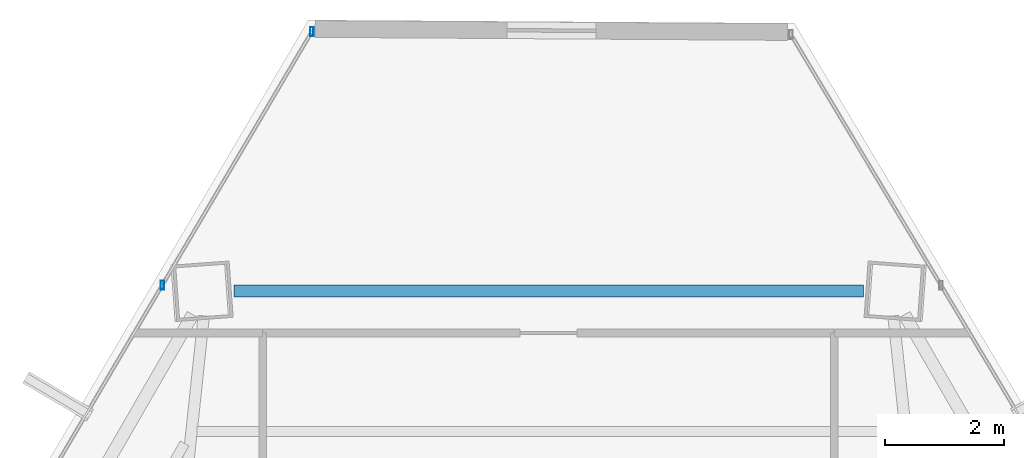
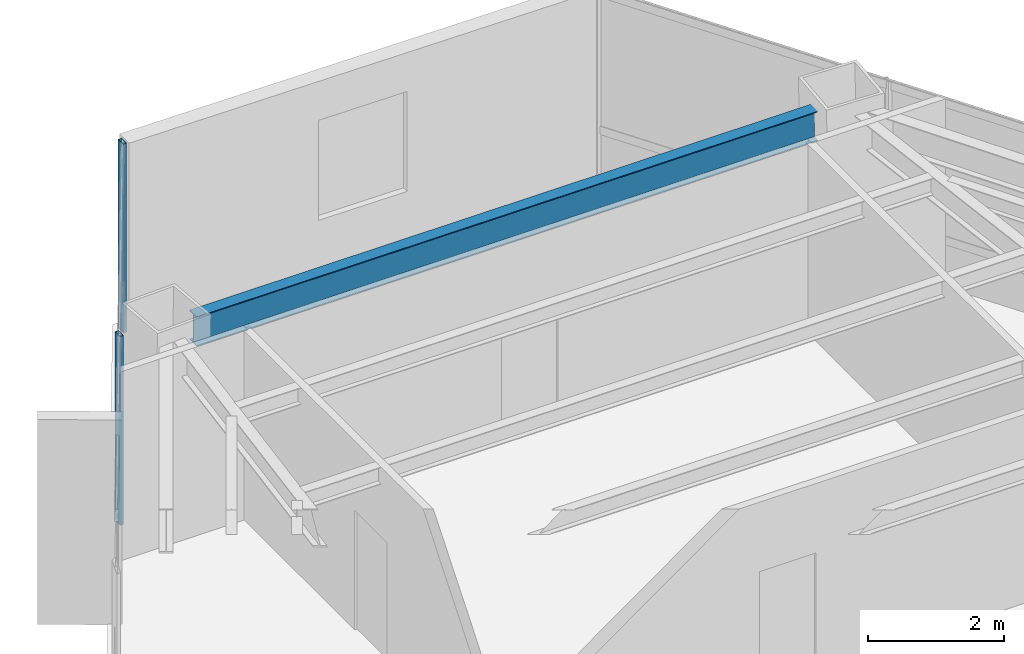
# One storey, part 30 of 41: 2 members, 1 beam, 1 element without a shape of its own.
"""IFC4 building model written with IfcOpenShell, lengths in metres."""

from ifc_helpers import new_model, si_unit, direction, frame, origin, origin_2d, place, context, subcontext, project, spatial, hollow_rectangle, i_section, extrude, source, transform, mapped, material, material_profile, profile_set, type_object, type_shapes, element, aggregate, save


model = new_model("IFC4")

# Units and contexts
model_context = context("Model", 3, precision=1e-05, world=origin(), true_north=direction((0.0, 1.0)))
body_context = subcontext(model_context, "Body", "Model", "MODEL_VIEW")
ifc_project = project(units=[si_unit("LENGTHUNIT", "METRE"), si_unit("AREAUNIT", "SQUARE_METRE"), si_unit("VOLUMEUNIT", "CUBIC_METRE"), si_unit("PLANEANGLEUNIT", "RADIAN"), si_unit("MASSUNIT", "GRAM", prefix="KILO")], contexts=[model_context])

# Site, building, storey
site_placement = place(None, origin())
site = spatial("IfcSite", under=ifc_project, at=site_placement, CompositionType="ELEMENT")
building_placement = place(site_placement, origin())
building = spatial("IfcBuilding", under=site, at=building_placement, Name="Caelisora Broadcast Tower", CompositionType="ELEMENT")
storey_placement = place(building_placement, frame((0.0, 0.0, 173.10009765625)))
storey = spatial("IfcBuildingStorey", under=building, at=storey_placement, Name="L45", CompositionType="ELEMENT", Elevation=173.10009765625)

# Beam
ifc_material_1 = material(Name="Steel Grade 350 (AS/NZS 3679.1)", Category="steel")
ifc_material_profile_1 = material_profile(ifc_material_1, i_section(OverallWidth=0.208984375, OverallDepth=0.532958984375, WebThickness=0.01025390625, FlangeThickness=0.015625, at=origin_2d()), Name="Steel Grade 350 (AS/NZS 3679.1)")
ifc_profile_set_1 = profile_set([ifc_material_profile_1], Name="Steel Grade 350 (AS/NZS 3679.1)")
beam_type = type_object("IfcBeamType", Name="PG05", PredefinedType="BEAM", material=ifc_profile_set_1)
shared_shape_1 = source(origin(), body_context, "Body", "SweptSolid", [
    extrude(i_section(OverallWidth=0.208984375, OverallDepth=0.532958984375, WebThickness=0.01025390625, FlangeThickness=0.015625, at=origin_2d()), origin(), (0.0, 0.0, 1.0), 10.57763671875),
])
type_shapes(beam_type, [shared_shape_1])
beam_placement = place(storey_placement, frame((43.288818359375, 46.534423828125, 3.13330078125), z_axis=(-1.0, 0.0, 0.0), x_axis=(0.0, -1.0, 0.0)))
element("IfcBeam", 1, at=beam_placement, inside=storey, type_object=beam_type, Name="L45 beam PG05", PredefinedType="BEAM", context=body_context, shape_type="MappedRepresentation", body=[
    mapped(shared_shape_1, transform((0.0, 0.0, 0.0), scale=1.0)),
])

# Curtain wall, members
ifc_material_2 = material(Name="Unitised Aluminium and Low-E Glass Curtain Wall", Category="glass")
curtain_wall_type = type_object("IfcCurtainWallType", Name="CW-Z3", PredefinedType="NOTDEFINED", material=ifc_material_2)
curtain_wall_placement = place(storey_placement, origin())
curtain_wall = element("IfcCurtainWall", 2, at=curtain_wall_placement, inside=storey, type_object=curtain_wall_type, Name="L45 curtain wall CW-Z3", PredefinedType="NOTDEFINED")
ifc_material_3 = material(Name="Aluminium 6063-T6 Anodised Terracotta Bronze", Category="aluminium")
ifc_material_profile_2 = material_profile(ifc_material_3, hollow_rectangle(XDim=0.06005859375, YDim=0.14990234375, WallThickness=0.00341796875, at=origin_2d()), Name="Aluminium 6063-T6 Anodised Terracotta Bronze")
ifc_profile_set_2 = profile_set([ifc_material_profile_2], Name="Aluminium 6063-T6 Anodised Terracotta Bronze")
member_type = type_object("IfcMemberType", Name="CWM-03", PredefinedType="MULLION", material=ifc_profile_set_2)
shared_shape_2 = source(origin(), body_context, "Body", "SweptSolid", [
    extrude(hollow_rectangle(XDim=0.06005859375, YDim=0.14990234375, WallThickness=0.00341796875, at=origin_2d()), origin(), (0.0, 0.0, 1.0), 3.39990234375),
])
type_shapes(member_type, [shared_shape_2])
member_1_placement = place(storey_placement, frame((31.51123046875, 46.633544921875, 0.0), z_axis=(0.0, 0.0, 1.0), x_axis=(1.0, 0.0, 0.0)))
member_1 = element("IfcMember", 3, at=member_1_placement, type_object=member_type, Name="L45-CW-B11 mullion #2", PredefinedType="MULLION", context=body_context, shape_type="MappedRepresentation", body=[
    mapped(shared_shape_2, transform((0.0, 0.0, 0.0), scale=1.0)),
])
member_2_placement = place(storey_placement, frame((34.023681640625, 50.892822265625, 0.0), z_axis=(0.0, 0.0, 1.0), x_axis=(1.0, 0.0, 0.0)))
member_2 = element("IfcMember", 4, at=member_2_placement, type_object=member_type, Name="L45-CW-B11 mullion #3", PredefinedType="MULLION", context=body_context, shape_type="MappedRepresentation", body=[
    mapped(shared_shape_2, transform((0.0, 0.0, 0.0), scale=1.0)),
])
aggregate(curtain_wall, [member_1, member_2])

save(model, "model.ifc")
